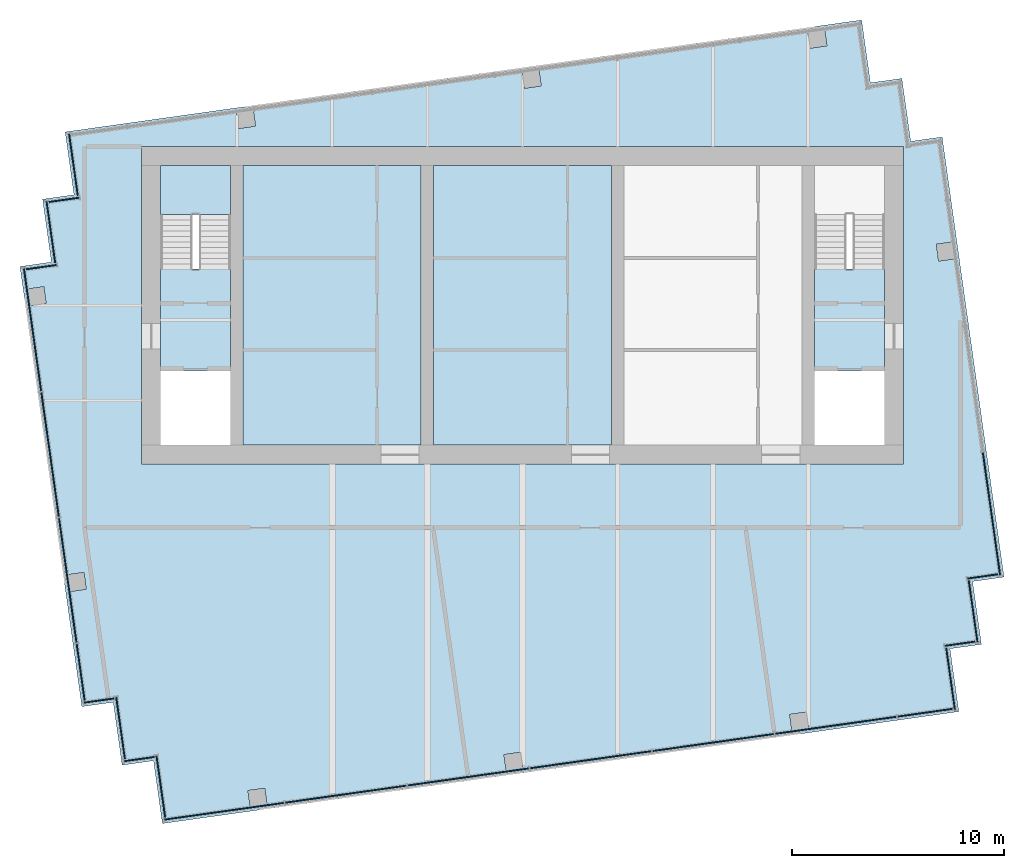
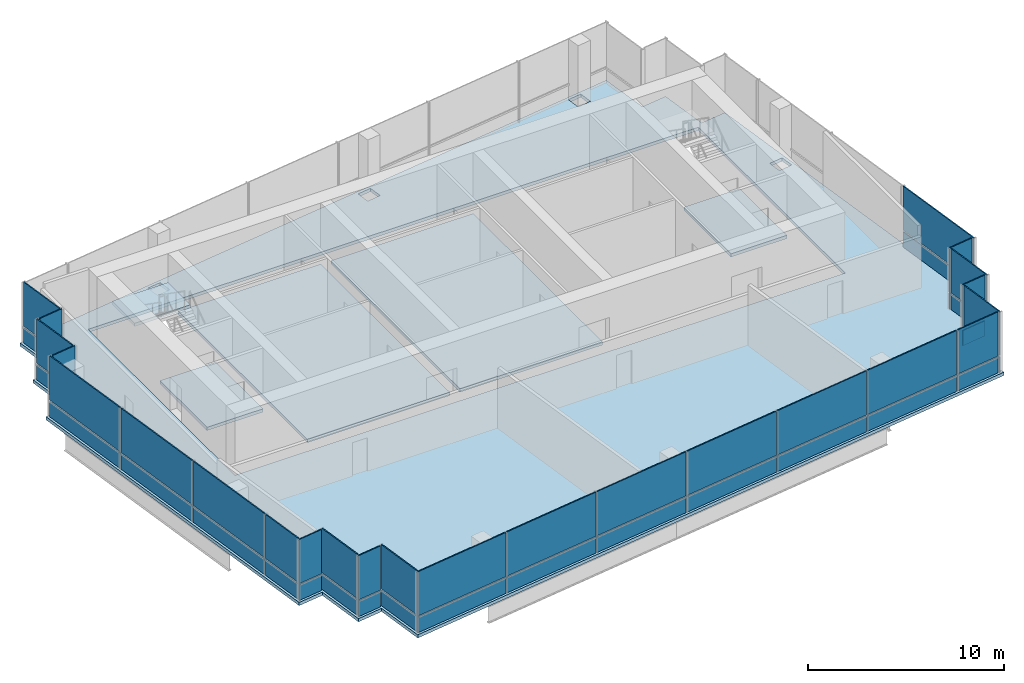
# One storey, part 6 of 9: 48 plates, 6 slabs, 16 elements without a shape of their own.
"""IFC4 building model written with IfcOpenShell, lengths in metres."""

from ifc_helpers import new_model, si_unit, direction, frame, origin, origin_2d, place, context, subcontext, project, spatial, polyline, rectangle, outline, extrude, material, layer, layer_set, type_object, element, aggregate, save


model = new_model("IFC4")

# Units and contexts
model_context = context("Model", 3, precision=1e-05, world=origin(), true_north=direction((0.0, 1.0)))
body_context = subcontext(model_context, "Body", "Model", "MODEL_VIEW")
ifc_project = project(units=[si_unit("LENGTHUNIT", "METRE"), si_unit("AREAUNIT", "SQUARE_METRE"), si_unit("VOLUMEUNIT", "CUBIC_METRE"), si_unit("PLANEANGLEUNIT", "RADIAN"), si_unit("MASSUNIT", "GRAM", prefix="KILO")], contexts=[model_context])

# Site, building, storey
site_placement = place(None, origin())
site = spatial("IfcSite", under=ifc_project, at=site_placement, CompositionType="ELEMENT")
building_placement = place(site_placement, origin())
building = spatial("IfcBuilding", under=site, at=building_placement, Name="Rattan Terrace Tower", CompositionType="ELEMENT")
storey_placement = place(building_placement, frame((0.0, 0.0, 296.300048828125)))
storey = spatial("IfcBuildingStorey", under=building, at=storey_placement, Name="C02", CompositionType="ELEMENT", Elevation=296.300048828125)

# Stair, slab
ifc_material_1 = material(Name="Concrete C40/50", Category="concrete")
stair_type = type_object("IfcStairType", Name="Core exit stair 1500", PredefinedType="HALF_TURN_STAIR", material=ifc_material_1)
stair_placement = place(storey_placement, origin())
stair = element("IfcStair", 1, at=stair_placement, inside=storey, type_object=stair_type, Name="C02 exit stair 1", PredefinedType="HALF_TURN_STAIR")
ifc_material_2 = material(Name="Concrete C40/50", Category="concrete")
ifc_layer_1 = layer(ifc_material_2, 0.199951171875)
ifc_layer_set_1 = layer_set([ifc_layer_1], Name="Core exit stair landing")
slab_type_1 = type_object("IfcSlabType", Name="Core exit stair landing", PredefinedType="LANDING", material=ifc_layer_set_1)
slab_1_placement = place(storey_placement, frame((0.0, 0.0, 1.800048828125)))
slab_1 = element("IfcSlab", 2, at=slab_1_placement, type_object=slab_type_1, Name="S1 landing 1", PredefinedType="LANDING", context=body_context, shape_type="SweptSolid", body=[
    extrude(outline(polyline([(-13.800048828125, 4.300048828125), (-13.800048828125, 6.60009765625), (-17.10009765625, 6.60009765625), (-17.10009765625, 4.300048828125), (-13.800048828125, 4.300048828125)])), origin(), (0.0, 0.0, 1.0), 0.199951171875),
])
aggregate(stair, [slab_1])

# Slabs
ifc_material_3 = material(Name="Concrete C35/45", Category="concrete")
ifc_layer_2 = layer(ifc_material_3, 0.199951171875)
ifc_layer_set_2 = layer_set([ifc_layer_2], Name="Frame composite floor slab 200")
slab_type_2 = type_object("IfcSlabType", Name="Frame composite floor slab 200", PredefinedType="FLOOR", material=ifc_layer_set_2)
slab_2_placement = place(storey_placement, frame((0.0, 0.0, -0.199951171875)))
element("IfcSlab", 3, at=slab_2_placement, inside=storey, type_object=slab_type_2, Name="Floor slab", PredefinedType="FLOOR", context=body_context, shape_type="SweptSolid", body=[
    extrude(outline(polyline([(-22.260986328125, 2.0458984375), (-23.7470703125, 1.8369140625), (-20.823974609375, -18.958984375), (-19.340087890625, -18.75), (-18.9208984375, -21.722900390625), (-17.43701171875, -21.514892578125), (-17.01904296875, -24.48388671875), (-16.52392578125, -24.4140625), (20.115966796875, -19.263916015625), (20.612060546875, -19.195068359375), (20.195068359375, -16.22509765625), (21.678955078125, -16.01611328125), (21.260986328125, -13.0458984375), (22.7470703125, -12.8369140625), (19.823974609375, 7.958984375), (18.340087890625, 7.75), (17.9208984375, 10.722900390625), (16.43701171875, 10.514892578125), (16.01904296875, 13.48388671875), (15.52392578125, 13.4140625), (-21.115966796875, 8.263916015625), (-21.612060546875, 8.195068359375), (-21.195068359375, 5.22509765625), (-22.678955078125, 5.01611328125), (-22.260986328125, 2.0458984375)]), holes=[polyline([(-12.0732421875, -23.6064453125), (-12.1845703125, -22.814208984375), (-12.976806640625, -22.925537109375), (-12.865478515625, -23.7177734375), (-12.0732421875, -23.6064453125)]), polyline([(0.022705078125, -21.906494140625), (-0.088623046875, -21.1142578125), (-0.880859375, -21.2255859375), (-0.769287109375, -22.017822265625), (0.022705078125, -21.906494140625)]), polyline([(-20.7255859375, -12.619140625), (-21.517822265625, -12.730712890625), (-21.406494140625, -13.522705078125), (-20.6142578125, -13.411376953125), (-20.7255859375, -12.619140625)]), polyline([(-18.0, -6.60009765625), (-18.0, -7.5), (18.0, -7.5), (18.0, -6.60009765625), (18.0, 6.60009765625), (18.0, 7.5), (-18.0, 7.5), (-18.0, 6.60009765625), (-18.0, -6.60009765625)]), polyline([(-22.51123046875, 0.088623046875), (-22.62255859375, 0.880859375), (-23.414794921875, 0.769287109375), (-23.303466796875, -0.022705078125), (-22.51123046875, 0.088623046875)]), polyline([(-12.619140625, 8.468505859375), (-12.730712890625, 9.2607421875), (-13.522705078125, 9.1494140625), (-13.411376953125, 8.357177734375), (-12.619140625, 8.468505859375)]), polyline([(13.522705078125, -20.009521484375), (13.411376953125, -19.21728515625), (12.619140625, -19.32861328125), (12.730712890625, -20.120849609375), (13.522705078125, -20.009521484375)]), polyline([(20.45068359375, 2.20556640625), (20.33935546875, 2.997802734375), (19.547119140625, 2.886474609375), (19.65869140625, 2.09423828125), (20.45068359375, 2.20556640625)]), polyline([(0.088623046875, 10.255126953125), (0.880859375, 10.36669921875), (0.769287109375, 11.15869140625), (-0.022705078125, 11.04736328125), (0.088623046875, 10.255126953125)]), polyline([(13.588623046875, 12.152099609375), (14.380859375, 12.263671875), (14.269287109375, 13.055908203125), (13.477294921875, 12.9443359375), (13.588623046875, 12.152099609375)])]), origin(), (0.0, 0.0, 1.0), 0.199951171875),
])
slab_3_placement = place(storey_placement, frame((0.0, 0.0, -0.199951171875)))
element("IfcSlab", 4, at=slab_3_placement, inside=storey, type_object=slab_type_2, Name="Floor slab", PredefinedType="FLOOR", context=body_context, shape_type="SweptSolid", body=[
    extrude(outline(polyline([(-13.199951171875, 6.60009765625), (-13.199951171875, -6.60009765625), (-4.800048828125, -6.60009765625), (-4.800048828125, 6.60009765625), (-13.199951171875, 6.60009765625)])), origin(), (0.0, 0.0, 1.0), 0.199951171875),
])
slab_4_placement = place(storey_placement, frame((0.0, 0.0, -0.199951171875)))
element("IfcSlab", 5, at=slab_4_placement, inside=storey, type_object=slab_type_2, Name="Floor slab", PredefinedType="FLOOR", context=body_context, shape_type="SweptSolid", body=[
    extrude(outline(polyline([(-4.199951171875, 6.60009765625), (-4.199951171875, -6.60009765625), (4.199951171875, -6.60009765625), (4.199951171875, 6.60009765625), (-4.199951171875, 6.60009765625)])), origin(), (0.0, 0.0, 1.0), 0.199951171875),
])
slab_5_placement = place(storey_placement, frame((0.0, 0.0, -0.199951171875)))
element("IfcSlab", 6, at=slab_5_placement, inside=storey, type_object=slab_type_2, Name="Floor slab", PredefinedType="FLOOR", context=body_context, shape_type="SweptSolid", body=[
    extrude(outline(polyline([(-13.800048828125, -3.10009765625), (-13.800048828125, 1.7099609375), (-17.10009765625, 1.7099609375), (-17.10009765625, -3.10009765625), (-13.800048828125, -3.10009765625)])), origin(), (0.0, 0.0, 1.0), 0.199951171875),
])
slab_6_placement = place(storey_placement, frame((0.0, 0.0, -0.199951171875)))
element("IfcSlab", 7, at=slab_6_placement, inside=storey, type_object=slab_type_2, Name="Floor slab", PredefinedType="FLOOR", context=body_context, shape_type="SweptSolid", body=[
    extrude(outline(polyline([(13.800048828125, -3.10009765625), (17.10009765625, -3.10009765625), (17.10009765625, 1.7099609375), (13.800048828125, 1.7099609375), (13.800048828125, -3.10009765625)])), origin(), (0.0, 0.0, 1.0), 0.199951171875),
])

# Curtain wall, plates
ifc_material_4 = material(Name="Aluminium and laminated glass", Category="aluminium")
ifc_layer_3 = layer(ifc_material_4, 0.239990234375)
ifc_layer_set_3 = layer_set([ifc_layer_3], Name="Lantern Stick Curtain Wall")
curtain_wall_type = type_object("IfcCurtainWallType", Name="Lantern Stick Curtain Wall", PredefinedType="NOTDEFINED", material=ifc_layer_set_3)
curtain_wall_1_placement = place(storey_placement, origin())
curtain_wall_1 = element("IfcCurtainWall", 8, at=curtain_wall_1_placement, inside=storey, type_object=curtain_wall_type, Name="Lantern curtain wall C02-1", PredefinedType="NOTDEFINED")
ifc_material_5 = material(Name="Laminated low-iron glass", Category="glass")
ifc_layer_4 = layer(ifc_material_5, 0.06591796875)
ifc_layer_set_4 = layer_set([ifc_layer_4], Name="Lantern CW Laminated Panel")
plate_type = type_object("IfcPlateType", Name="Lantern CW Laminated Panel", PredefinedType="CURTAIN_PANEL", material=ifc_layer_set_4)
plate_1_placement = place(storey_placement, frame((-23.1552734375, -1.152099609375, 0.0), z_axis=(0.0, 0.0, 1.0), x_axis=(0.139187707455, -0.990266015823, 0.0)))
plate_1 = element("IfcPlate", 9, at=plate_1_placement, type_object=plate_type, Name="Panel cwl-C02-001.1.1", PredefinedType="CURTAIN_PANEL", context=body_context, shape_type="SweptSolid", body=[
    extrude(rectangle(XDim=5.844970703125, YDim=0.06591796875, at=origin_2d()), origin(), (0.0, 0.0, 1.0), 0.949951171875),
])
plate_2_placement = place(storey_placement, frame((-23.1552734375, -1.152099609375, 1.050048828125), z_axis=(0.0, 0.0, 1.0), x_axis=(0.139187707455, -0.990266015823, 0.0)))
plate_2 = element("IfcPlate", 10, at=plate_2_placement, type_object=plate_type, Name="Panel cwl-C02-001.1.2", PredefinedType="CURTAIN_PANEL", context=body_context, shape_type="SweptSolid", body=[
    extrude(rectangle(XDim=5.844970703125, YDim=0.06591796875, at=origin_2d()), origin(), (0.0, 0.0, 1.0), 2.75),
])
plate_3_placement = place(storey_placement, frame((-22.325927734375, -7.0517578125, 0.0), z_axis=(0.0, 0.0, 1.0), x_axis=(0.139187707455, -0.990266015823, 0.0)))
plate_3 = element("IfcPlate", 11, at=plate_3_placement, type_object=plate_type, Name="Panel cwl-C02-001.2.1", PredefinedType="CURTAIN_PANEL", context=body_context, shape_type="SweptSolid", body=[
    extrude(rectangle(XDim=5.929931640625, YDim=0.06591796875, at=origin_2d()), origin(), (0.0, 0.0, 1.0), 0.949951171875),
])
plate_4_placement = place(storey_placement, frame((-22.325927734375, -7.0517578125, 1.050048828125), z_axis=(0.0, 0.0, 1.0), x_axis=(0.139187707455, -0.990266015823, 0.0)))
plate_4 = element("IfcPlate", 12, at=plate_4_placement, type_object=plate_type, Name="Panel cwl-C02-001.2.2", PredefinedType="CURTAIN_PANEL", context=body_context, shape_type="SweptSolid", body=[
    extrude(rectangle(XDim=5.929931640625, YDim=0.06591796875, at=origin_2d()), origin(), (0.0, 0.0, 1.0), 2.75),
])
plate_5_placement = place(storey_placement, frame((-21.49072265625, -12.993408203125, 0.0), z_axis=(0.0, 0.0, 1.0), x_axis=(0.139187707455, -0.990266015823, 0.0)))
plate_5 = element("IfcPlate", 13, at=plate_5_placement, type_object=plate_type, Name="Panel cwl-C02-001.3.1", PredefinedType="CURTAIN_PANEL", context=body_context, shape_type="SweptSolid", body=[
    extrude(rectangle(XDim=5.929931640625, YDim=0.06591796875, at=origin_2d()), origin(), (0.0, 0.0, 1.0), 0.949951171875),
])
plate_6_placement = place(storey_placement, frame((-21.49072265625, -12.993408203125, 1.050048828125), z_axis=(0.0, 0.0, 1.0), x_axis=(0.139187707455, -0.990266015823, 0.0)))
plate_6 = element("IfcPlate", 14, at=plate_6_placement, type_object=plate_type, Name="Panel cwl-C02-001.3.2", PredefinedType="CURTAIN_PANEL", context=body_context, shape_type="SweptSolid", body=[
    extrude(rectangle(XDim=5.929931640625, YDim=0.06591796875, at=origin_2d()), origin(), (0.0, 0.0, 1.0), 2.75),
])
plate_7_placement = place(storey_placement, frame((-20.88232421875, -17.323486328125, 0.0), z_axis=(0.0, 0.0, 1.0), x_axis=(0.139187707455, -0.990266015823, 0.0)))
plate_7 = element("IfcPlate", 15, at=plate_7_placement, type_object=plate_type, Name="Panel cwl-C02-001.4.1", PredefinedType="CURTAIN_PANEL", context=body_context, shape_type="SweptSolid", body=[
    extrude(rectangle(XDim=2.67529296875, YDim=0.06591796875, at=origin_2d()), origin(), (0.0, 0.0, 1.0), 0.949951171875),
])
plate_8_placement = place(storey_placement, frame((-20.88232421875, -17.323486328125, 1.050048828125), z_axis=(0.0, 0.0, 1.0), x_axis=(0.139187707455, -0.990266015823, 0.0)))
plate_8 = element("IfcPlate", 16, at=plate_8_placement, type_object=plate_type, Name="Panel cwl-C02-001.4.2", PredefinedType="CURTAIN_PANEL", context=body_context, shape_type="SweptSolid", body=[
    extrude(rectangle(XDim=2.67529296875, YDim=0.06591796875, at=origin_2d()), origin(), (0.0, 0.0, 1.0), 2.75),
])
aggregate(curtain_wall_1, [plate_1, plate_2, plate_3, plate_4, plate_5, plate_6, plate_7, plate_8])

curtain_wall_2_placement = place(storey_placement, origin())
curtain_wall_2 = element("IfcCurtainWall", 17, at=curtain_wall_2_placement, inside=storey, type_object=curtain_wall_type, Name="Lantern curtain wall C02-2", PredefinedType="NOTDEFINED")
plate_9_placement = place(storey_placement, frame((-20.021484375, -18.67431640625, 0.0), z_axis=(0.0, 0.0, 1.0), x_axis=(0.990227803001, 0.139459306479, 0.0)))
plate_9 = element("IfcPlate", 18, at=plate_9_placement, type_object=plate_type, Name="Panel cwl-C02-002.1.1", PredefinedType="CURTAIN_PANEL", context=body_context, shape_type="SweptSolid", body=[
    extrude(rectangle(XDim=1.428466796875, YDim=0.06591796875, at=origin_2d()), origin(), (0.0, 0.0, 1.0), 0.949951171875),
])
plate_10_placement = place(storey_placement, frame((-20.021484375, -18.67431640625, 1.050048828125), z_axis=(0.0, 0.0, 1.0), x_axis=(0.990227803001, 0.139459306479, 0.0)))
plate_10 = element("IfcPlate", 19, at=plate_10_placement, type_object=plate_type, Name="Panel cwl-C02-002.1.2", PredefinedType="CURTAIN_PANEL", context=body_context, shape_type="SweptSolid", body=[
    extrude(rectangle(XDim=1.428466796875, YDim=0.06591796875, at=origin_2d()), origin(), (0.0, 0.0, 1.0), 2.75),
])
aggregate(curtain_wall_2, [plate_9, plate_10])

curtain_wall_3_placement = place(storey_placement, origin())
curtain_wall_3 = element("IfcCurtainWall", 20, at=curtain_wall_3_placement, inside=storey, type_object=curtain_wall_type, Name="Lantern curtain wall C02-3", PredefinedType="NOTDEFINED")
plate_11_placement = place(storey_placement, frame((-18.997802734375, -19.96044921875, 0.0), z_axis=(0.0, 0.0, 1.0), x_axis=(0.139555918709, -0.990214191755, 0.0)))
plate_11 = element("IfcPlate", 21, at=plate_11_placement, type_object=plate_type, Name="Panel cwl-C02-003.1.1", PredefinedType="CURTAIN_PANEL", context=body_context, shape_type="SweptSolid", body=[
    extrude(rectangle(XDim=2.932373046875, YDim=0.06591796875, at=origin_2d()), origin(), (0.0, 0.0, 1.0), 0.949951171875),
])
plate_12_placement = place(storey_placement, frame((-18.997802734375, -19.96044921875, 1.050048828125), z_axis=(0.0, 0.0, 1.0), x_axis=(0.139555918709, -0.990214191755, 0.0)))
plate_12 = element("IfcPlate", 22, at=plate_12_placement, type_object=plate_type, Name="Panel cwl-C02-003.1.2", PredefinedType="CURTAIN_PANEL", context=body_context, shape_type="SweptSolid", body=[
    extrude(rectangle(XDim=2.932373046875, YDim=0.06591796875, at=origin_2d()), origin(), (0.0, 0.0, 1.0), 2.75),
])
aggregate(curtain_wall_3, [plate_11, plate_12])

curtain_wall_4_placement = place(storey_placement, origin())
curtain_wall_4 = element("IfcCurtainWall", 23, at=curtain_wall_4_placement, inside=storey, type_object=curtain_wall_type, Name="Lantern curtain wall C02-4", PredefinedType="NOTDEFINED")
plate_13_placement = place(storey_placement, frame((-18.11865234375, -21.43896484375, 0.0), z_axis=(0.0, 0.0, 1.0), x_axis=(0.990319742912, 0.13880492354, 0.0)))
plate_13 = element("IfcPlate", 24, at=plate_13_placement, type_object=plate_type, Name="Panel cwl-C02-004.1.1", PredefinedType="CURTAIN_PANEL", context=body_context, shape_type="SweptSolid", body=[
    extrude(rectangle(XDim=1.428466796875, YDim=0.06591796875, at=origin_2d()), origin(), (0.0, 0.0, 1.0), 0.949951171875),
])
plate_14_placement = place(storey_placement, frame((-18.11865234375, -21.43896484375, 1.050048828125), z_axis=(0.0, 0.0, 1.0), x_axis=(0.990319742912, 0.13880492354, 0.0)))
plate_14 = element("IfcPlate", 25, at=plate_14_placement, type_object=plate_type, Name="Panel cwl-C02-004.1.2", PredefinedType="CURTAIN_PANEL", context=body_context, shape_type="SweptSolid", body=[
    extrude(rectangle(XDim=1.428466796875, YDim=0.06591796875, at=origin_2d()), origin(), (0.0, 0.0, 1.0), 2.75),
])
aggregate(curtain_wall_4, [plate_13, plate_14])

curtain_wall_5_placement = place(storey_placement, origin())
curtain_wall_5 = element("IfcCurtainWall", 26, at=curtain_wall_5_placement, inside=storey, type_object=curtain_wall_type, Name="Lantern curtain wall C02-5", PredefinedType="NOTDEFINED")
plate_15_placement = place(storey_placement, frame((-17.09521484375, -22.723388671875, 0.0), z_axis=(0.0, 0.0, 1.0), x_axis=(0.139413247769, -0.990234288614, 0.0)))
plate_15 = element("IfcPlate", 27, at=plate_15_placement, type_object=plate_type, Name="Panel cwl-C02-005.1.1", PredefinedType="CURTAIN_PANEL", context=body_context, shape_type="SweptSolid", body=[
    extrude(rectangle(XDim=2.92822265625, YDim=0.06591796875, at=origin_2d()), origin(), (0.0, 0.0, 1.0), 0.949951171875),
])
plate_16_placement = place(storey_placement, frame((-17.09521484375, -22.723388671875, 1.050048828125), z_axis=(0.0, 0.0, 1.0), x_axis=(0.139413247769, -0.990234288614, 0.0)))
plate_16 = element("IfcPlate", 28, at=plate_16_placement, type_object=plate_type, Name="Panel cwl-C02-005.1.2", PredefinedType="CURTAIN_PANEL", context=body_context, shape_type="SweptSolid", body=[
    extrude(rectangle(XDim=2.92822265625, YDim=0.06591796875, at=origin_2d()), origin(), (0.0, 0.0, 1.0), 2.75),
])
aggregate(curtain_wall_5, [plate_15, plate_16])

curtain_wall_6_placement = place(storey_placement, origin())
curtain_wall_6 = element("IfcCurtainWall", 29, at=curtain_wall_6_placement, inside=storey, type_object=curtain_wall_type, Name="Lantern curtain wall C02-6", PredefinedType="NOTDEFINED")
plate_17_placement = place(storey_placement, frame((-14.10595703125, -23.90283203125, 0.0), z_axis=(0.0, 0.0, 1.0), x_axis=(0.990266952226, 0.13918104515, 0.0)))
plate_17 = element("IfcPlate", 30, at=plate_17_placement, type_object=plate_type, Name="Panel cwl-C02-006.1.1", PredefinedType="CURTAIN_PANEL", context=body_context, shape_type="SweptSolid", body=[
    extrude(rectangle(XDim=5.69091796875, YDim=0.06591796875, at=origin_2d()), origin(), (0.0, 0.0, 1.0), 0.949951171875),
])
plate_18_placement = place(storey_placement, frame((-14.10595703125, -23.90283203125, 1.050048828125), z_axis=(0.0, 0.0, 1.0), x_axis=(0.990266952226, 0.13918104515, 0.0)))
plate_18 = element("IfcPlate", 31, at=plate_18_placement, type_object=plate_type, Name="Panel cwl-C02-006.1.2", PredefinedType="CURTAIN_PANEL", context=body_context, shape_type="SweptSolid", body=[
    extrude(rectangle(XDim=5.69091796875, YDim=0.06591796875, at=origin_2d()), origin(), (0.0, 0.0, 1.0), 2.75),
])
plate_19_placement = place(storey_placement, frame((-8.359130859375, -23.09521484375, 0.0), z_axis=(0.0, 0.0, 1.0), x_axis=(0.990266952226, 0.13918104515, 0.0)))
plate_19 = element("IfcPlate", 32, at=plate_19_placement, type_object=plate_type, Name="Panel cwl-C02-006.2.1", PredefinedType="CURTAIN_PANEL", context=body_context, shape_type="SweptSolid", body=[
    extrude(rectangle(XDim=5.77587890625, YDim=0.06591796875, at=origin_2d()), origin(), (0.0, 0.0, 1.0), 0.949951171875),
])
plate_20_placement = place(storey_placement, frame((-8.359130859375, -23.09521484375, 1.050048828125), z_axis=(0.0, 0.0, 1.0), x_axis=(0.990266952226, 0.13918104515, 0.0)))
plate_20 = element("IfcPlate", 33, at=plate_20_placement, type_object=plate_type, Name="Panel cwl-C02-006.2.2", PredefinedType="CURTAIN_PANEL", context=body_context, shape_type="SweptSolid", body=[
    extrude(rectangle(XDim=5.77587890625, YDim=0.06591796875, at=origin_2d()), origin(), (0.0, 0.0, 1.0), 2.75),
])
plate_21_placement = place(storey_placement, frame((-2.570068359375, -22.281494140625, 0.0), z_axis=(0.0, 0.0, 1.0), x_axis=(0.990266952226, 0.13918104515, 0.0)))
plate_21 = element("IfcPlate", 34, at=plate_21_placement, type_object=plate_type, Name="Panel cwl-C02-006.3.1", PredefinedType="CURTAIN_PANEL", context=body_context, shape_type="SweptSolid", body=[
    extrude(rectangle(XDim=5.77587890625, YDim=0.06591796875, at=origin_2d()), origin(), (0.0, 0.0, 1.0), 0.949951171875),
])
plate_22_placement = place(storey_placement, frame((-2.570068359375, -22.281494140625, 1.050048828125), z_axis=(0.0, 0.0, 1.0), x_axis=(0.990266952226, 0.13918104515, 0.0)))
plate_22 = element("IfcPlate", 35, at=plate_22_placement, type_object=plate_type, Name="Panel cwl-C02-006.3.2", PredefinedType="CURTAIN_PANEL", context=body_context, shape_type="SweptSolid", body=[
    extrude(rectangle(XDim=5.77587890625, YDim=0.06591796875, at=origin_2d()), origin(), (0.0, 0.0, 1.0), 2.75),
])
plate_23_placement = place(storey_placement, frame((3.21923828125, -21.4677734375, 0.0), z_axis=(0.0, 0.0, 1.0), x_axis=(0.990266952226, 0.13918104515, 0.0)))
plate_23 = element("IfcPlate", 36, at=plate_23_placement, type_object=plate_type, Name="Panel cwl-C02-006.4.1", PredefinedType="CURTAIN_PANEL", context=body_context, shape_type="SweptSolid", body=[
    extrude(rectangle(XDim=5.77587890625, YDim=0.06591796875, at=origin_2d()), origin(), (0.0, 0.0, 1.0), 0.949951171875),
])
plate_24_placement = place(storey_placement, frame((3.21923828125, -21.4677734375, 1.050048828125), z_axis=(0.0, 0.0, 1.0), x_axis=(0.990266952226, 0.13918104515, 0.0)))
plate_24 = element("IfcPlate", 37, at=plate_24_placement, type_object=plate_type, Name="Panel cwl-C02-006.4.2", PredefinedType="CURTAIN_PANEL", context=body_context, shape_type="SweptSolid", body=[
    extrude(rectangle(XDim=5.77587890625, YDim=0.06591796875, at=origin_2d()), origin(), (0.0, 0.0, 1.0), 2.75),
])
plate_25_placement = place(storey_placement, frame((9.00830078125, -20.654296875, 0.0), z_axis=(0.0, 0.0, 1.0), x_axis=(0.990266952226, 0.13918104515, 0.0)))
plate_25 = element("IfcPlate", 38, at=plate_25_placement, type_object=plate_type, Name="Panel cwl-C02-006.5.1", PredefinedType="CURTAIN_PANEL", context=body_context, shape_type="SweptSolid", body=[
    extrude(rectangle(XDim=5.77587890625, YDim=0.06591796875, at=origin_2d()), origin(), (0.0, 0.0, 1.0), 0.949951171875),
])
plate_26_placement = place(storey_placement, frame((9.00830078125, -20.654296875, 1.050048828125), z_axis=(0.0, 0.0, 1.0), x_axis=(0.990266952226, 0.13918104515, 0.0)))
plate_26 = element("IfcPlate", 39, at=plate_26_placement, type_object=plate_type, Name="Panel cwl-C02-006.5.2", PredefinedType="CURTAIN_PANEL", context=body_context, shape_type="SweptSolid", body=[
    extrude(rectangle(XDim=5.77587890625, YDim=0.06591796875, at=origin_2d()), origin(), (0.0, 0.0, 1.0), 2.75),
])
plate_27_placement = place(storey_placement, frame((14.79736328125, -19.840576171875, 0.0), z_axis=(0.0, 0.0, 1.0), x_axis=(0.990266952226, 0.13918104515, 0.0)))
plate_27 = element("IfcPlate", 40, at=plate_27_placement, type_object=plate_type, Name="Panel cwl-C02-006.6.1", PredefinedType="CURTAIN_PANEL", context=body_context, shape_type="SweptSolid", body=[
    extrude(rectangle(XDim=5.77587890625, YDim=0.06591796875, at=origin_2d()), origin(), (0.0, 0.0, 1.0), 0.949951171875),
])
plate_28_placement = place(storey_placement, frame((14.79736328125, -19.840576171875, 1.050048828125), z_axis=(0.0, 0.0, 1.0), x_axis=(0.990266952226, 0.13918104515, 0.0)))
plate_28 = element("IfcPlate", 41, at=plate_28_placement, type_object=plate_type, Name="Panel cwl-C02-006.6.2", PredefinedType="CURTAIN_PANEL", context=body_context, shape_type="SweptSolid", body=[
    extrude(rectangle(XDim=5.77587890625, YDim=0.06591796875, at=origin_2d()), origin(), (0.0, 0.0, 1.0), 2.75),
])
plate_29_placement = place(storey_placement, frame((19.013916015625, -19.248046875, 0.0), z_axis=(0.0, 0.0, 1.0), x_axis=(0.990266952226, 0.13918104515, 0.0)))
plate_29 = element("IfcPlate", 42, at=plate_29_placement, type_object=plate_type, Name="Panel cwl-C02-006.7.1", PredefinedType="CURTAIN_PANEL", context=body_context, shape_type="SweptSolid", body=[
    extrude(rectangle(XDim=2.599853515625, YDim=0.06591796875, at=origin_2d()), origin(), (0.0, 0.0, 1.0), 0.949951171875),
])
plate_30_placement = place(storey_placement, frame((19.013916015625, -19.248046875, 1.050048828125), z_axis=(0.0, 0.0, 1.0), x_axis=(0.990266952226, 0.13918104515, 0.0)))
plate_30 = element("IfcPlate", 43, at=plate_30_placement, type_object=plate_type, Name="Panel cwl-C02-006.7.2", PredefinedType="CURTAIN_PANEL", context=body_context, shape_type="SweptSolid", body=[
    extrude(rectangle(XDim=2.599853515625, YDim=0.06591796875, at=origin_2d()), origin(), (0.0, 0.0, 1.0), 2.75),
])
aggregate(curtain_wall_6, [plate_17, plate_18, plate_19, plate_20, plate_21, plate_22, plate_23, plate_24, plate_25, plate_26, plate_27, plate_28, plate_29, plate_30])

curtain_wall_7_placement = place(storey_placement, origin())
curtain_wall_7 = element("IfcCurtainWall", 44, at=curtain_wall_7_placement, inside=storey, type_object=curtain_wall_type, Name="Lantern curtain wall C02-7", PredefinedType="NOTDEFINED")
plate_31_placement = place(storey_placement, frame((20.223388671875, -17.6494140625, 0.0), z_axis=(0.0, 0.0, 1.0), x_axis=(-0.139040257974, 0.990286729519, 0.0)))
plate_31 = element("IfcPlate", 45, at=plate_31_placement, type_object=plate_type, Name="Panel cwl-C02-007.1.1", PredefinedType="CURTAIN_PANEL", context=body_context, shape_type="SweptSolid", body=[
    extrude(rectangle(XDim=2.92919921875, YDim=0.06591796875, at=origin_2d()), origin(), (0.0, 0.0, 1.0), 0.949951171875),
])
plate_32_placement = place(storey_placement, frame((20.223388671875, -17.6494140625, 1.050048828125), z_axis=(0.0, 0.0, 1.0), x_axis=(-0.139040257974, 0.990286729519, 0.0)))
plate_32 = element("IfcPlate", 46, at=plate_32_placement, type_object=plate_type, Name="Panel cwl-C02-007.1.2", PredefinedType="CURTAIN_PANEL", context=body_context, shape_type="SweptSolid", body=[
    extrude(rectangle(XDim=2.92919921875, YDim=0.06591796875, at=origin_2d()), origin(), (0.0, 0.0, 1.0), 2.75),
])
aggregate(curtain_wall_7, [plate_31, plate_32])

curtain_wall_8_placement = place(storey_placement, origin())
curtain_wall_8 = element("IfcCurtainWall", 47, at=curtain_wall_8_placement, inside=storey, type_object=curtain_wall_type, Name="Lantern curtain wall C02-8", PredefinedType="NOTDEFINED")
plate_33_placement = place(storey_placement, frame((20.660888671875, -15.98779296875, 0.0), z_axis=(0.0, 0.0, 1.0), x_axis=(0.990227803001, 0.139459306479, 0.0)))
plate_33 = element("IfcPlate", 48, at=plate_33_placement, type_object=plate_type, Name="Panel cwl-C02-008.1.1", PredefinedType="CURTAIN_PANEL", context=body_context, shape_type="SweptSolid", body=[
    extrude(rectangle(XDim=1.4287109375, YDim=0.06591796875, at=origin_2d()), origin(), (0.0, 0.0, 1.0), 0.949951171875),
])
plate_34_placement = place(storey_placement, frame((20.660888671875, -15.98779296875, 1.050048828125), z_axis=(0.0, 0.0, 1.0), x_axis=(0.990227803001, 0.139459306479, 0.0)))
plate_34 = element("IfcPlate", 49, at=plate_34_placement, type_object=plate_type, Name="Panel cwl-C02-008.1.2", PredefinedType="CURTAIN_PANEL", context=body_context, shape_type="SweptSolid", body=[
    extrude(rectangle(XDim=1.4287109375, YDim=0.06591796875, at=origin_2d()), origin(), (0.0, 0.0, 1.0), 2.75),
])
aggregate(curtain_wall_8, [plate_33, plate_34])

curtain_wall_9_placement = place(storey_placement, origin())
curtain_wall_9 = element("IfcCurtainWall", 50, at=curtain_wall_9_placement, inside=storey, type_object=curtain_wall_type, Name="Lantern curtain wall C02-9", PredefinedType="NOTDEFINED")
plate_35_placement = place(storey_placement, frame((21.289794921875, -14.470458984375, 0.0), z_axis=(0.0, 0.0, 1.0), x_axis=(-0.139367219175, 0.990240767803, 0.0)))
plate_35 = element("IfcPlate", 51, at=plate_35_placement, type_object=plate_type, Name="Panel cwl-C02-009.1.1", PredefinedType="CURTAIN_PANEL", context=body_context, shape_type="SweptSolid", body=[
    extrude(rectangle(XDim=2.92919921875, YDim=0.06591796875, at=origin_2d()), origin(), (0.0, 0.0, 1.0), 0.949951171875),
])
plate_36_placement = place(storey_placement, frame((21.289794921875, -14.470458984375, 1.050048828125), z_axis=(0.0, 0.0, 1.0), x_axis=(-0.139367219175, 0.990240767803, 0.0)))
plate_36 = element("IfcPlate", 52, at=plate_36_placement, type_object=plate_type, Name="Panel cwl-C02-009.1.2", PredefinedType="CURTAIN_PANEL", context=body_context, shape_type="SweptSolid", body=[
    extrude(rectangle(XDim=2.92919921875, YDim=0.06591796875, at=origin_2d()), origin(), (0.0, 0.0, 1.0), 2.75),
])
aggregate(curtain_wall_9, [plate_35, plate_36])

curtain_wall_10_placement = place(storey_placement, origin())
curtain_wall_10 = element("IfcCurtainWall", 53, at=curtain_wall_10_placement, inside=storey, type_object=curtain_wall_type, Name="Lantern curtain wall C02-10", PredefinedType="NOTDEFINED")
plate_37_placement = place(storey_placement, frame((21.727783203125, -12.80859375, 0.0), z_axis=(0.0, 0.0, 1.0), x_axis=(0.99025370695, 0.139275252184, 0.0)))
plate_37 = element("IfcPlate", 54, at=plate_37_placement, type_object=plate_type, Name="Panel cwl-C02-010.1.1", PredefinedType="CURTAIN_PANEL", context=body_context, shape_type="SweptSolid", body=[
    extrude(rectangle(XDim=1.4306640625, YDim=0.06591796875, at=origin_2d()), origin(), (0.0, 0.0, 1.0), 0.949951171875),
])
plate_38_placement = place(storey_placement, frame((21.727783203125, -12.80859375, 1.050048828125), z_axis=(0.0, 0.0, 1.0), x_axis=(0.99025370695, 0.139275252184, 0.0)))
plate_38 = element("IfcPlate", 55, at=plate_38_placement, type_object=plate_type, Name="Panel cwl-C02-010.1.2", PredefinedType="CURTAIN_PANEL", context=body_context, shape_type="SweptSolid", body=[
    extrude(rectangle(XDim=1.4306640625, YDim=0.06591796875, at=origin_2d()), origin(), (0.0, 0.0, 1.0), 2.75),
])
aggregate(curtain_wall_10, [plate_37, plate_38])

curtain_wall_11_placement = place(storey_placement, origin())
curtain_wall_11 = element("IfcCurtainWall", 56, at=curtain_wall_11_placement, inside=storey, type_object=curtain_wall_type, Name="Lantern curtain wall C02-11", PredefinedType="NOTDEFINED")
plate_39_placement = place(storey_placement, frame((22.1552734375, -9.847900390625, 0.0), z_axis=(0.0, 0.0, 1.0), x_axis=(-0.139187707455, 0.990266015823, 0.0)))
plate_39 = element("IfcPlate", 57, at=plate_39_placement, type_object=plate_type, Name="Panel cwl-C02-011.1.1", PredefinedType="CURTAIN_PANEL", context=body_context, shape_type="SweptSolid", body=[
    extrude(rectangle(XDim=5.844970703125, YDim=0.06591796875, at=origin_2d()), origin(), (0.0, 0.0, 1.0), 0.949951171875),
])
plate_40_placement = place(storey_placement, frame((22.1552734375, -9.847900390625, 1.050048828125), z_axis=(0.0, 0.0, 1.0), x_axis=(-0.139187707455, 0.990266015823, 0.0)))
plate_40 = element("IfcPlate", 58, at=plate_40_placement, type_object=plate_type, Name="Panel cwl-C02-011.1.2", PredefinedType="CURTAIN_PANEL", context=body_context, shape_type="SweptSolid", body=[
    extrude(rectangle(XDim=5.844970703125, YDim=0.06591796875, at=origin_2d()), origin(), (0.0, 0.0, 1.0), 2.75),
])
aggregate(curtain_wall_11, [plate_39, plate_40])

curtain_wall_12_placement = place(storey_placement, origin())
curtain_wall_12 = element("IfcCurtainWall", 59, at=curtain_wall_12_placement, inside=storey, type_object=curtain_wall_type, Name="Lantern curtain wall C02-17", PredefinedType="NOTDEFINED")
plate_41_placement = place(storey_placement, frame((-21.223388671875, 6.6494140625, 0.0), z_axis=(0.0, 0.0, 1.0), x_axis=(0.139040257975, -0.990286729519, 0.0)))
plate_41 = element("IfcPlate", 60, at=plate_41_placement, type_object=plate_type, Name="Panel cwl-C02-017.1.1", PredefinedType="CURTAIN_PANEL", context=body_context, shape_type="SweptSolid", body=[
    extrude(rectangle(XDim=2.92919921875, YDim=0.06591796875, at=origin_2d()), origin(), (0.0, 0.0, 1.0), 0.949951171875),
])
plate_42_placement = place(storey_placement, frame((-21.223388671875, 6.6494140625, 1.050048828125), z_axis=(0.0, 0.0, 1.0), x_axis=(0.139040257975, -0.990286729519, 0.0)))
plate_42 = element("IfcPlate", 61, at=plate_42_placement, type_object=plate_type, Name="Panel cwl-C02-017.1.2", PredefinedType="CURTAIN_PANEL", context=body_context, shape_type="SweptSolid", body=[
    extrude(rectangle(XDim=2.92919921875, YDim=0.06591796875, at=origin_2d()), origin(), (0.0, 0.0, 1.0), 2.75),
])
aggregate(curtain_wall_12, [plate_41, plate_42])

curtain_wall_13_placement = place(storey_placement, origin())
curtain_wall_13 = element("IfcCurtainWall", 62, at=curtain_wall_13_placement, inside=storey, type_object=curtain_wall_type, Name="Lantern curtain wall C02-18", PredefinedType="NOTDEFINED")
plate_43_placement = place(storey_placement, frame((-21.660888671875, 4.98779296875, 0.0), z_axis=(0.0, 0.0, 1.0), x_axis=(-0.990227803001, -0.139459306479, 0.0)))
plate_43 = element("IfcPlate", 63, at=plate_43_placement, type_object=plate_type, Name="Panel cwl-C02-018.1.1", PredefinedType="CURTAIN_PANEL", context=body_context, shape_type="SweptSolid", body=[
    extrude(rectangle(XDim=1.4287109375, YDim=0.06591796875, at=origin_2d()), origin(), (0.0, 0.0, 1.0), 0.949951171875),
])
plate_44_placement = place(storey_placement, frame((-21.660888671875, 4.98779296875, 1.050048828125), z_axis=(0.0, 0.0, 1.0), x_axis=(-0.990227803001, -0.139459306479, 0.0)))
plate_44 = element("IfcPlate", 64, at=plate_44_placement, type_object=plate_type, Name="Panel cwl-C02-018.1.2", PredefinedType="CURTAIN_PANEL", context=body_context, shape_type="SweptSolid", body=[
    extrude(rectangle(XDim=1.4287109375, YDim=0.06591796875, at=origin_2d()), origin(), (0.0, 0.0, 1.0), 2.75),
])
aggregate(curtain_wall_13, [plate_43, plate_44])

curtain_wall_14_placement = place(storey_placement, origin())
curtain_wall_14 = element("IfcCurtainWall", 65, at=curtain_wall_14_placement, inside=storey, type_object=curtain_wall_type, Name="Lantern curtain wall C02-19", PredefinedType="NOTDEFINED")
plate_45_placement = place(storey_placement, frame((-22.289794921875, 3.470458984375, 0.0), z_axis=(0.0, 0.0, 1.0), x_axis=(0.139367219175, -0.990240767803, 0.0)))
plate_45 = element("IfcPlate", 66, at=plate_45_placement, type_object=plate_type, Name="Panel cwl-C02-019.1.1", PredefinedType="CURTAIN_PANEL", context=body_context, shape_type="SweptSolid", body=[
    extrude(rectangle(XDim=2.92919921875, YDim=0.06591796875, at=origin_2d()), origin(), (0.0, 0.0, 1.0), 0.949951171875),
])
plate_46_placement = place(storey_placement, frame((-22.289794921875, 3.470458984375, 1.050048828125), z_axis=(0.0, 0.0, 1.0), x_axis=(0.139367219175, -0.990240767803, 0.0)))
plate_46 = element("IfcPlate", 67, at=plate_46_placement, type_object=plate_type, Name="Panel cwl-C02-019.1.2", PredefinedType="CURTAIN_PANEL", context=body_context, shape_type="SweptSolid", body=[
    extrude(rectangle(XDim=2.92919921875, YDim=0.06591796875, at=origin_2d()), origin(), (0.0, 0.0, 1.0), 2.75),
])
aggregate(curtain_wall_14, [plate_45, plate_46])

curtain_wall_15_placement = place(storey_placement, origin())
curtain_wall_15 = element("IfcCurtainWall", 68, at=curtain_wall_15_placement, inside=storey, type_object=curtain_wall_type, Name="Lantern curtain wall C02-20", PredefinedType="NOTDEFINED")
plate_47_placement = place(storey_placement, frame((-22.727783203125, 1.80859375, 0.0), z_axis=(0.0, 0.0, 1.0), x_axis=(-0.99025370695, -0.139275252184, 0.0)))
plate_47 = element("IfcPlate", 69, at=plate_47_placement, type_object=plate_type, Name="Panel cwl-C02-020.1.1", PredefinedType="CURTAIN_PANEL", context=body_context, shape_type="SweptSolid", body=[
    extrude(rectangle(XDim=1.4306640625, YDim=0.06591796875, at=origin_2d()), origin(), (0.0, 0.0, 1.0), 0.949951171875),
])
plate_48_placement = place(storey_placement, frame((-22.727783203125, 1.80859375, 1.050048828125), z_axis=(0.0, 0.0, 1.0), x_axis=(-0.99025370695, -0.139275252184, 0.0)))
plate_48 = element("IfcPlate", 70, at=plate_48_placement, type_object=plate_type, Name="Panel cwl-C02-020.1.2", PredefinedType="CURTAIN_PANEL", context=body_context, shape_type="SweptSolid", body=[
    extrude(rectangle(XDim=1.4306640625, YDim=0.06591796875, at=origin_2d()), origin(), (0.0, 0.0, 1.0), 2.75),
])
aggregate(curtain_wall_15, [plate_47, plate_48])

save(model, "model.ifc")
